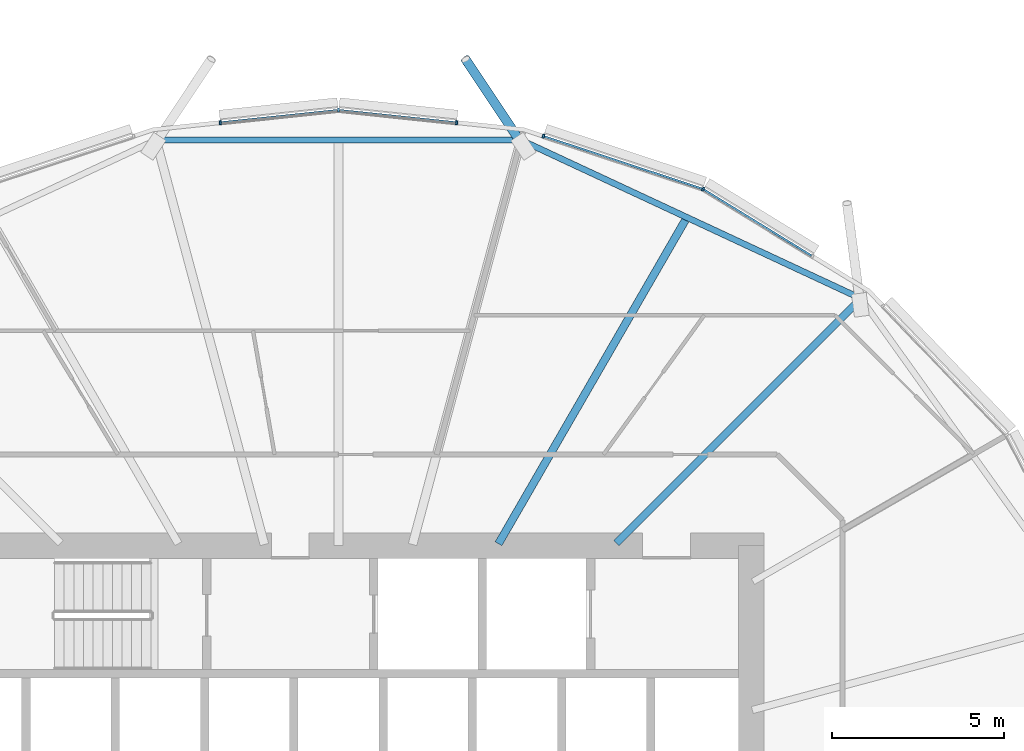
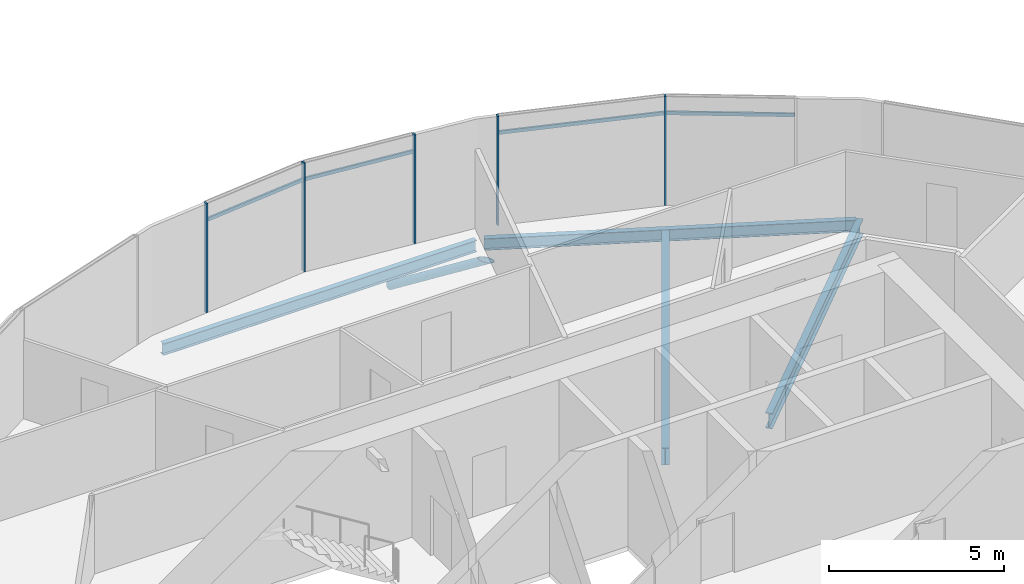
# One storey, part 11 of 38: 10 members, 4 beams, 1 element without a shape of its own.
"""IFC4 building model written with IfcOpenShell, lengths in metres."""

from ifc_helpers import new_model, si_unit, direction, frame, origin, origin_2d, place, context, subcontext, project, spatial, rectangle, hollow_circle, i_section, extrude, clip, halfspace, material, material_profile, profile_set, type_object, element, aggregate, save


model = new_model("IFC4")

# Units and contexts
model_context = context("Model", 3, precision=1e-05, world=origin(), true_north=direction((0.0, 1.0)))
body_context = subcontext(model_context, "Body", "Model", "MODEL_VIEW")
ifc_project = project(units=[si_unit("LENGTHUNIT", "METRE"), si_unit("AREAUNIT", "SQUARE_METRE"), si_unit("VOLUMEUNIT", "CUBIC_METRE"), si_unit("PLANEANGLEUNIT", "RADIAN"), si_unit("MASSUNIT", "GRAM", prefix="KILO")], contexts=[model_context])

# Site, building, storey
site_placement = place(None, origin())
site = spatial("IfcSite", under=ifc_project, at=site_placement, CompositionType="ELEMENT")
building_placement = place(site_placement, origin())
building = spatial("IfcBuilding", under=site, at=building_placement, Name="Rimbun Link Towers", CompositionType="ELEMENT")
storey_placement = place(building_placement, frame((0.0, 0.0, 123.39990234375)))
storey = spatial("IfcBuildingStorey", under=building, at=storey_placement, Name="L30", CompositionType="ELEMENT", Elevation=123.39990234375)

# Curtain wall, members
ifc_material_1 = material(Name="Aluminium 6063-T6 and low-iron glass", Category="aluminium")
curtain_wall_type = type_object("IfcCurtainWallType", Name="CW1-Z2 unitised vision wall (zone 2)", PredefinedType="NOTDEFINED", material=ifc_material_1)
curtain_wall_placement = place(storey_placement, origin())
curtain_wall = element("IfcCurtainWall", 1, at=curtain_wall_placement, inside=storey, type_object=curtain_wall_type, Name="CW1 L30 T1", PredefinedType="NOTDEFINED")
ifc_material_2 = material(Name="Aluminium 6063-T6", Category="aluminium")
ifc_material_profile_1 = material_profile(ifc_material_2, rectangle(XDim=0.1201171875, YDim=0.06005859375, at=origin_2d()), Name="MULLION 60X120")
ifc_profile_set_1 = profile_set([ifc_material_profile_1], Name="Aluminium 6063-T6")
member_type_1 = type_object("IfcMemberType", Name="CW1 mullion 60X120", PredefinedType="MULLION", material=ifc_profile_set_1)
member_1_placement = place(storey_placement, frame((-21.15380859375, 18.364013671875, 0.0), z_axis=(0.0, 0.0, 1.0), x_axis=(0.421704717158, 0.9067332196, 0.0)))
member_1 = element("IfcMember", 2, at=member_1_placement, type_object=member_type_1, Name="CW1 mullion", PredefinedType="MULLION", context=body_context, shape_type="SweptSolid", body=[
    extrude(rectangle(XDim=0.1201171875, YDim=0.06005859375, at=origin_2d()), origin(), (0.0, 0.0, 1.0), 3.800048828125),
])
member_2_placement = place(storey_placement, frame((-25.793701171875, 19.90185546875, 0.0), z_axis=(0.0, 0.0, 1.0), x_axis=(0.314563424855, 0.949236457235, 0.0)))
member_2 = element("IfcMember", 3, at=member_2_placement, type_object=member_type_1, Name="CW1 mullion", PredefinedType="MULLION", context=body_context, shape_type="SweptSolid", body=[
    extrude(rectangle(XDim=0.1201171875, YDim=0.06005859375, at=origin_2d()), origin(), (0.0, 0.0, 1.0), 3.800048828125),
])
member_3_placement = place(storey_placement, frame((-31.75, 20.6591796875, 0.0), z_axis=(0.0, 0.0, 1.0), x_axis=(0.0, 1.0, 0.0)))
member_3 = element("IfcMember", 4, at=member_3_placement, type_object=member_type_1, Name="CW1 mullion", PredefinedType="MULLION", context=body_context, shape_type="SweptSolid", body=[
    extrude(rectangle(XDim=0.1201171875, YDim=0.06005859375, at=origin_2d()), origin(), (0.0, 0.0, 1.0), 3.800048828125),
])
member_4_placement = place(storey_placement, frame((-28.31494140625, 20.297607421875, 0.0), z_axis=(0.0, 0.0, 1.0), x_axis=(0.104748434017, 0.994498750915, 0.0)))
member_4 = element("IfcMember", 5, at=member_4_placement, type_object=member_type_1, Name="CW1 mullion", PredefinedType="MULLION", context=body_context, shape_type="SweptSolid", body=[
    extrude(rectangle(XDim=0.1201171875, YDim=0.06005859375, at=origin_2d()), origin(), (0.0, 0.0, 1.0), 3.800048828125),
])
member_5_placement = place(storey_placement, frame((-35.18505859375, 20.297607421875, 0.0), z_axis=(0.0, 0.0, 1.0), x_axis=(-0.104748434017, 0.994498750915, 0.0)))
member_5 = element("IfcMember", 6, at=member_5_placement, type_object=member_type_1, Name="CW1 mullion", PredefinedType="MULLION", context=body_context, shape_type="SweptSolid", body=[
    extrude(rectangle(XDim=0.1201171875, YDim=0.06005859375, at=origin_2d()), origin(), (0.0, 0.0, 1.0), 3.800048828125),
])
ifc_material_3 = material(Name="Aluminium 6063-T6", Category="aluminium")
ifc_material_profile_2 = material_profile(ifc_material_3, rectangle(XDim=0.06005859375, YDim=0.1201171875, at=origin_2d()), Name="TRANSOM 60X120")
ifc_profile_set_2 = profile_set([ifc_material_profile_2], Name="Aluminium 6063-T6")
member_type_2 = type_object("IfcMemberType", Name="CW1 transom 60X120", PredefinedType="USERDEFINED", material=ifc_profile_set_2)
member_6_placement = place(storey_placement, frame((-21.123046875, 18.34326171875, 3.2001953125), z_axis=(0.852165495326, -0.523272365576, 0.0), x_axis=(0.523272365576, 0.852165495326, 0.0)))
member_6 = element("IfcMember", 7, at=member_6_placement, type_object=member_type_2, Name="CW1 transom", ObjectType="TRANSOM", PredefinedType="USERDEFINED", context=body_context, shape_type="SweptSolid", body=[
    extrude(rectangle(XDim=0.06005859375, YDim=0.1201171875, at=origin_2d()), origin(), (0.0, 0.0, 1.0), 3.666259765625),
])
member_7_placement = place(storey_placement, frame((-25.765625, 19.890625, 3.2001953125), z_axis=(0.94923382133, -0.314571378933, 0.0), x_axis=(0.314571378933, 0.94923382133, 0.0)))
member_7 = element("IfcMember", 8, at=member_7_placement, type_object=member_type_2, Name="CW1 transom", ObjectType="TRANSOM", PredefinedType="USERDEFINED", context=body_context, shape_type="SweptSolid", body=[
    extrude(rectangle(XDim=0.06005859375, YDim=0.1201171875, at=origin_2d()), origin(), (0.0, 0.0, 1.0), 4.8212890625),
])
member_8_placement = place(storey_placement, frame((-31.714111328125, 20.653564453125, 3.2001953125), z_axis=(0.994502688422, -0.104711043933, 0.0), x_axis=(0.104711043933, 0.994502688422, 0.0)))
member_8 = element("IfcMember", 9, at=member_8_placement, type_object=member_type_2, Name="CW1 transom", ObjectType="TRANSOM", PredefinedType="USERDEFINED", context=body_context, shape_type="SweptSolid", body=[
    extrude(rectangle(XDim=0.06005859375, YDim=0.1201171875, at=origin_2d()), origin(), (0.0, 0.0, 1.0), 3.3876953125),
])
member_9_placement = place(storey_placement, frame((-35.155029296875, 20.298828125, 3.2001953125), z_axis=(0.994502688422, 0.104711043933, 0.0), x_axis=(-0.104711043933, 0.994502688422, 0.0)))
member_9 = element("IfcMember", 10, at=member_9_placement, type_object=member_type_2, Name="CW1 transom", ObjectType="TRANSOM", PredefinedType="USERDEFINED", context=body_context, shape_type="SweptSolid", body=[
    extrude(rectangle(XDim=0.06005859375, YDim=0.1201171875, at=origin_2d()), origin(), (0.0, 0.0, 1.0), 3.3876953125),
])
aggregate(curtain_wall, [member_1, member_2, member_3, member_4, member_5, member_6, member_7, member_8, member_9])

# Member
ifc_material_4 = material(Name="Steel S355J2H", Category="steel")
ifc_material_profile_3 = material_profile(ifc_material_4, hollow_circle(Radius=0.136474609375, WallThickness=0.012451171875, at=origin_2d()), Name="CHS 273x12.5")
ifc_profile_set_3 = profile_set([ifc_material_profile_3], Name="Steel S355J2H")
member_type_3 = type_object("IfcMemberType", Name="Floor edge link CHS 273x12.5", PredefinedType="BRACE", material=ifc_profile_set_3)
member_10_placement = place(storey_placement, frame((-26.46044921875, 19.740966796875, -0.96044921875), z_axis=(-0.475000020344, 0.713765443874, -0.514697845152), x_axis=(-0.832504145229, -0.554018815724, 0.0)))
element("IfcMember", 11, at=member_10_placement, inside=storey, type_object=member_type_3, Name="Floor edge link T1 L30 05", PredefinedType="BRACE", context=body_context, shape_type="Clipping", body=[
    clip(extrude(hollow_circle(Radius=0.136474609375, WallThickness=0.012451171875, at=origin_2d()), frame((0.0, 0.0, -0.47412109375)), (0.0, 0.0, 1.0), 3.8505859375), halfspace(frame((0.0, 0.0, -0.2236328125), z_axis=(0.0, 0.857371639486, -0.514697845152)), False)),
])

# Beams
ifc_material_5 = material(Name="Steel S355J2", Category="steel")
ifc_material_profile_4 = material_profile(ifc_material_5, i_section(OverallWidth=0.177978515625, OverallDepth=0.406494140625, WebThickness=0.0078125, FlangeThickness=0.0126953125, at=origin_2d()), Name="UB 406x178x60")
ifc_profile_set_4 = profile_set([ifc_material_profile_4], Name="Steel S355J2")
beam_type_1 = type_object("IfcBeamType", Name="UB 406x178x60", PredefinedType="BEAM", material=ifc_profile_set_4)
beam_1_placement = place(storey_placement, frame((-16.66796875, 15.231201171875, -0.363037109375), z_axis=(-0.906387823698, 0.422446580116, 0.0), x_axis=(-0.422446580116, -0.906387823698, 0.0)))
element("IfcBeam", 12, at=beam_1_placement, inside=storey, type_object=beam_type_1, Name="Edge beam T1 L30 03-05", PredefinedType="BEAM", context=body_context, shape_type="SweptSolid", body=[
    extrude(i_section(OverallWidth=0.177978515625, OverallDepth=0.406494140625, WebThickness=0.0078125, FlangeThickness=0.0126953125, at=origin_2d()), origin(), (0.0, 0.0, 1.0), 10.65966796875),
])
beam_2_placement = place(storey_placement, frame((-26.579833984375, 19.789306640625, -0.363037109375), z_axis=(-1.0, 0.0, 0.0), x_axis=(0.0, -1.0, 0.0)))
element("IfcBeam", 13, at=beam_2_placement, inside=storey, type_object=beam_type_1, Name="Edge beam T1 L30 05-07", PredefinedType="BEAM", context=body_context, shape_type="SweptSolid", body=[
    extrude(i_section(OverallWidth=0.177978515625, OverallDepth=0.406494140625, WebThickness=0.0078125, FlangeThickness=0.0126953125, at=origin_2d()), origin(), (0.0, 0.0, 1.0), 10.34033203125),
])
ifc_material_6 = material(Name="Steel S355J2", Category="steel")
ifc_material_profile_5 = material_profile(ifc_material_6, i_section(OverallWidth=0.209228515625, OverallDepth=0.533203125, WebThickness=0.010009765625, FlangeThickness=0.015625, at=origin_2d()), Name="UB 533x210x92")
ifc_profile_set_5 = profile_set([ifc_material_profile_5], Name="Steel S355J2")
beam_type_2 = type_object("IfcBeamType", Name="UB 533x210x92", PredefinedType="BEAM", material=ifc_profile_set_5)
beam_3_placement = place(storey_placement, frame((-23.67529296875, 8.07470703125, -0.426513671875), z_axis=(0.707106781187, 0.707106781187, 0.0), x_axis=(-0.707106781187, 0.707106781187, 0.0)))
element("IfcBeam", 14, at=beam_3_placement, inside=storey, type_object=beam_type_2, Name="Radial beam T1 L30 03", PredefinedType="BEAM", context=body_context, shape_type="SweptSolid", body=[
    extrude(i_section(OverallWidth=0.209228515625, OverallDepth=0.533203125, WebThickness=0.010009765625, FlangeThickness=0.015625, at=origin_2d()), origin(), (0.0, 0.0, 1.0), 10.0537109375),
])
ifc_material_7 = material(Name="Steel S355J2", Category="steel")
ifc_material_profile_6 = material_profile(ifc_material_7, i_section(OverallWidth=0.2275390625, OverallDepth=0.6025390625, WebThickness=0.010498046875, FlangeThickness=0.014892578125, at=origin_2d()), Name="UB 610x229x101")
ifc_profile_set_6 = profile_set([ifc_material_profile_6], Name="Steel S355J2")
beam_type_3 = type_object("IfcBeamType", Name="UB 610x229x101", PredefinedType="BEAM", material=ifc_profile_set_6)
beam_4_placement = place(storey_placement, frame((-27.097900390625, 8.057861328125, -0.461181640625), z_axis=(0.49999814997, 0.866026471897, 0.0), x_axis=(-0.866026471897, 0.49999814997, 0.0)))
element("IfcBeam", 15, at=beam_4_placement, inside=storey, type_object=beam_type_3, Name="Radial beam T1 L30 04", PredefinedType="BEAM", context=body_context, shape_type="SweptSolid", body=[
    extrude(i_section(OverallWidth=0.2275390625, OverallDepth=0.6025390625, WebThickness=0.010498046875, FlangeThickness=0.014892578125, at=origin_2d()), origin(), (0.0, 0.0, 1.0), 10.859375),
])

save(model, "model.ifc")
